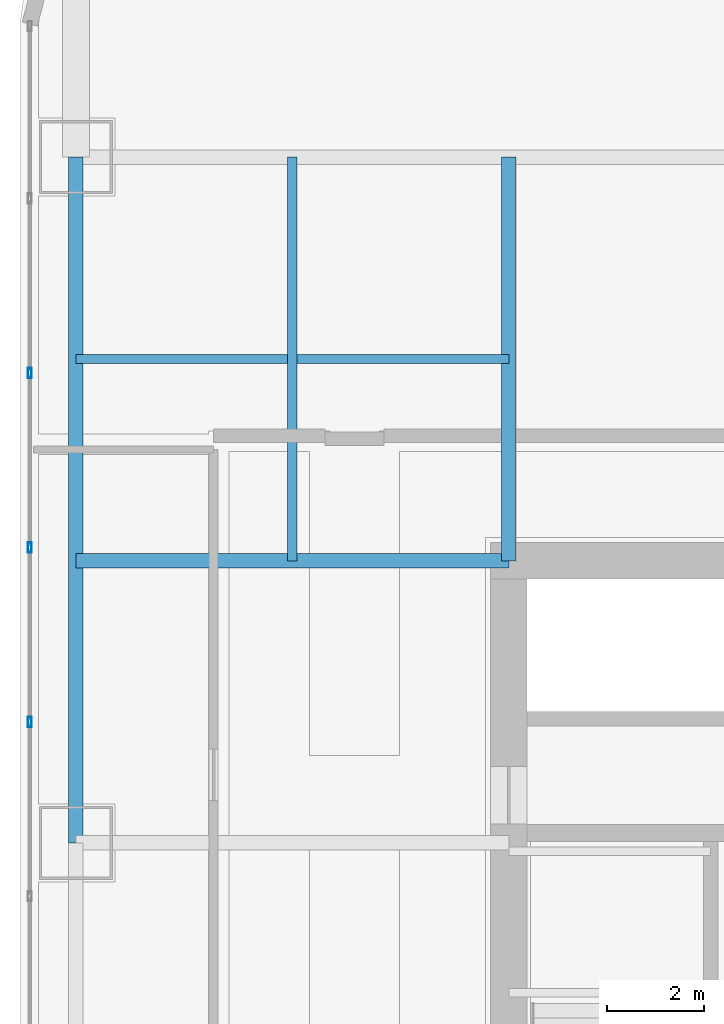
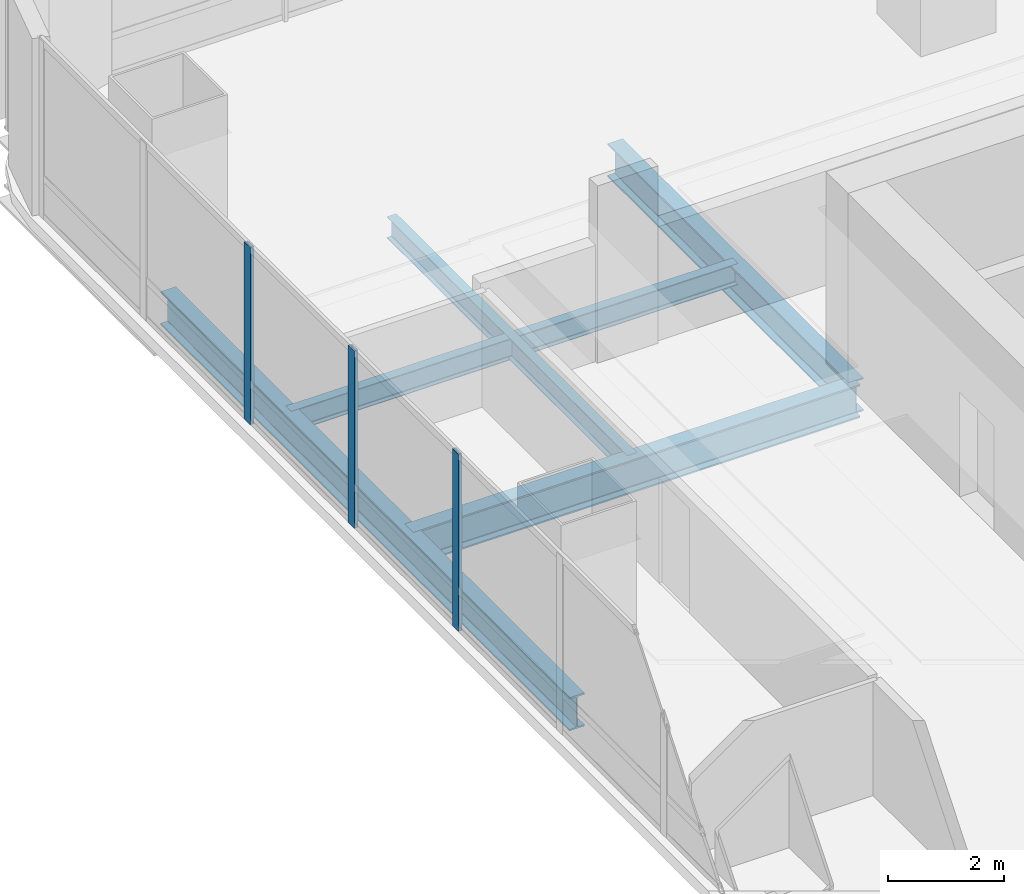
# One storey, part 11 of 33: 5 beams, 3 members, 1 element without a shape of its own.
"""IFC4 building model written with IfcOpenShell, lengths in metres."""

from ifc_helpers import new_model, si_unit, direction, frame, origin, origin_2d, place, context, subcontext, project, spatial, hollow_rectangle, i_section, extrude, material, material_profile, profile_set, type_object, element, aggregate, save


model = new_model("IFC4")

# Units and contexts
model_context = context("Model", 3, precision=1e-05, world=origin(), true_north=direction((0.0, 1.0)))
body_context = subcontext(model_context, "Body", "Model", "MODEL_VIEW")
ifc_project = project(units=[si_unit("LENGTHUNIT", "METRE"), si_unit("AREAUNIT", "SQUARE_METRE"), si_unit("VOLUMEUNIT", "CUBIC_METRE"), si_unit("PLANEANGLEUNIT", "RADIAN"), si_unit("MASSUNIT", "GRAM", prefix="KILO")], contexts=[model_context])

# Site, building, storey
site_placement = place(None, origin())
site = spatial("IfcSite", under=ifc_project, at=site_placement, CompositionType="ELEMENT")
building_placement = place(site_placement, origin())
building = spatial("IfcBuilding", under=site, at=building_placement, Name="Punatoya Terracotta Tower", CompositionType="ELEMENT")
storey_placement = place(building_placement, frame((0.0, 0.0, 121.35009765625)))
storey = spatial("IfcBuildingStorey", under=building, at=storey_placement, Name="L28", CompositionType="ELEMENT", Elevation=121.35009765625)

# Beams
ifc_material_1 = material(Name="Steel S355", Category="steel")
ifc_material_profile_1 = material_profile(ifc_material_1, i_section(OverallWidth=0.300048828125, OverallDepth=0.699951171875, WebThickness=0.01708984375, FlangeThickness=0.031982421875, FilletRadius=0.01806640625, at=origin_2d()))
ifc_profile_set_1 = profile_set([ifc_material_profile_1], Name="Steel S355")
beam_type_1 = type_object("IfcBeamType", Name="BM-PRI-700", PredefinedType="BEAM", material=ifc_profile_set_1)
beam_1_placement = place(storey_placement, frame((-19.10009765625, 3.39990234375, -0.590087890625), z_axis=(0.0, 1.0, 0.0), x_axis=(-1.0, 0.0, 0.0)))
element("IfcBeam", 1, at=beam_1_placement, inside=storey, type_object=beam_type_1, Name="BM-L28-RG-W3", PredefinedType="BEAM", context=body_context, shape_type="SweptSolid", body=[
    extrude(i_section(OverallWidth=0.300048828125, OverallDepth=0.699951171875, WebThickness=0.01708984375, FlangeThickness=0.031982421875, FilletRadius=0.01806640625, at=origin_2d()), origin(), (0.0, 0.0, 1.0), 14.10009765625),
])
beam_2_placement = place(storey_placement, frame((-19.10009765625, 9.199951171875, -0.590087890625), z_axis=(1.0, 0.0, 0.0), x_axis=(0.0, 1.0, 0.0)))
element("IfcBeam", 2, at=beam_2_placement, inside=storey, type_object=beam_type_1, Name="BM-L28-PR-WN", PredefinedType="BEAM", context=body_context, shape_type="SweptSolid", body=[
    extrude(i_section(OverallWidth=0.300048828125, OverallDepth=0.699951171875, WebThickness=0.01708984375, FlangeThickness=0.031982421875, FilletRadius=0.01806640625, at=origin_2d()), origin(), (0.0, 0.0, 1.0), 8.900146484375),
])
beam_3_placement = place(storey_placement, frame((-10.199951171875, 9.199951171875, -0.590087890625), z_axis=(0.0, 1.0, 0.0), x_axis=(-1.0, 0.0, 0.0)))
element("IfcBeam", 3, at=beam_3_placement, inside=storey, type_object=beam_type_1, Name="BM-L28-PR-N1", PredefinedType="BEAM", context=body_context, shape_type="SweptSolid", body=[
    extrude(i_section(OverallWidth=0.300048828125, OverallDepth=0.699951171875, WebThickness=0.01708984375, FlangeThickness=0.031982421875, FilletRadius=0.01806640625, at=origin_2d()), origin(), (0.0, 0.0, 1.0), 8.300048828125),
])
ifc_material_profile_2 = material_profile(ifc_material_1, i_section(OverallWidth=0.18994140625, OverallDepth=0.449951171875, WebThickness=0.009521484375, FlangeThickness=0.0146484375, FilletRadius=0.01806640625, at=origin_2d()))
ifc_profile_set_2 = profile_set([ifc_material_profile_2], Name="Steel S355")
beam_type_2 = type_object("IfcBeamType", Name="BM-SEC-450", PredefinedType="JOIST", material=ifc_profile_set_2)
beam_4_placement = place(storey_placement, frame((-19.10009765625, 13.35009765625, -0.465087890625), z_axis=(1.0, 0.0, 0.0), x_axis=(0.0, 1.0, 0.0)))
element("IfcBeam", 4, at=beam_4_placement, inside=storey, type_object=beam_type_2, Name="BM-L28-SJN-1", PredefinedType="JOIST", context=body_context, shape_type="SweptSolid", body=[
    extrude(i_section(OverallWidth=0.18994140625, OverallDepth=0.449951171875, WebThickness=0.009521484375, FlangeThickness=0.0146484375, FilletRadius=0.01806640625, at=origin_2d()), origin(), (0.0, 0.0, 1.0), 8.900146484375),
])
beam_5_placement = place(storey_placement, frame((-14.64990234375, 9.199951171875, -0.465087890625), z_axis=(0.0, 1.0, 0.0), x_axis=(-1.0, 0.0, 0.0)))
element("IfcBeam", 5, at=beam_5_placement, inside=storey, type_object=beam_type_2, Name="BM-L28-SJW-2", PredefinedType="JOIST", context=body_context, shape_type="SweptSolid", body=[
    extrude(i_section(OverallWidth=0.18994140625, OverallDepth=0.449951171875, WebThickness=0.009521484375, FlangeThickness=0.0146484375, FilletRadius=0.01806640625, at=origin_2d()), origin(), (0.0, 0.0, 1.0), 8.300048828125),
])

# Curtain wall, members
ifc_material_2 = material(Name="Aluminium 6063-T6 + Double Low-E Glass", Category="aluminium")
curtain_wall_type = type_object("IfcCurtainWallType", Name="CW-M1", PredefinedType="NOTDEFINED", material=ifc_material_2)
curtain_wall_placement = place(storey_placement, origin())
curtain_wall = element("IfcCurtainWall", 6, at=curtain_wall_placement, inside=storey, type_object=curtain_wall_type, Name="L28 Curtain Wall CW-L28-W12-1", PredefinedType="NOTDEFINED")
ifc_material_3 = material(Name="Aluminium 6063-T6", Category="aluminium")
ifc_material_profile_3 = material_profile(ifc_material_3, hollow_rectangle(XDim=0.074951171875, YDim=0.2099609375, WallThickness=0.00439453125, at=origin_2d()))
ifc_profile_set_3 = profile_set([ifc_material_profile_3], Name="Aluminium 6063-T6")
member_type = type_object("IfcMemberType", Name="CW-MUL-M1", PredefinedType="MULLION", material=ifc_profile_set_3)
member_1_placement = place(storey_placement, frame((-20.050048828125, 13.06201171875, 0.0), z_axis=(0.0, 0.0, 1.0), x_axis=(1.0, 0.0, 0.0)))
member_1 = element("IfcMember", 7, at=member_1_placement, type_object=member_type, Name="CW-L28-W12-1 Mullion 02", PredefinedType="MULLION", context=body_context, shape_type="SweptSolid", body=[
    extrude(hollow_rectangle(XDim=0.074951171875, YDim=0.2099609375, WallThickness=0.00439453125, at=origin_2d()), origin(), (0.0, 0.0, 1.0), 3.72998046875),
])
member_2_placement = place(storey_placement, frame((-20.050048828125, 9.474609375, 0.0), z_axis=(0.0, 0.0, 1.0), x_axis=(1.0, 0.0, 0.0)))
member_2 = element("IfcMember", 8, at=member_2_placement, type_object=member_type, Name="CW-L28-W12-1 Mullion 03", PredefinedType="MULLION", context=body_context, shape_type="SweptSolid", body=[
    extrude(hollow_rectangle(XDim=0.074951171875, YDim=0.2099609375, WallThickness=0.00439453125, at=origin_2d()), origin(), (0.0, 0.0, 1.0), 3.72998046875),
])
member_3_placement = place(storey_placement, frame((-20.050048828125, 5.88720703125, 0.0), z_axis=(0.0, 0.0, 1.0), x_axis=(1.0, 0.0, 0.0)))
member_3 = element("IfcMember", 9, at=member_3_placement, type_object=member_type, Name="CW-L28-W12-1 Mullion 04", PredefinedType="MULLION", context=body_context, shape_type="SweptSolid", body=[
    extrude(hollow_rectangle(XDim=0.074951171875, YDim=0.2099609375, WallThickness=0.00439453125, at=origin_2d()), origin(), (0.0, 0.0, 1.0), 3.72998046875),
])
aggregate(curtain_wall, [member_1, member_2, member_3])

save(model, "model.ifc")
